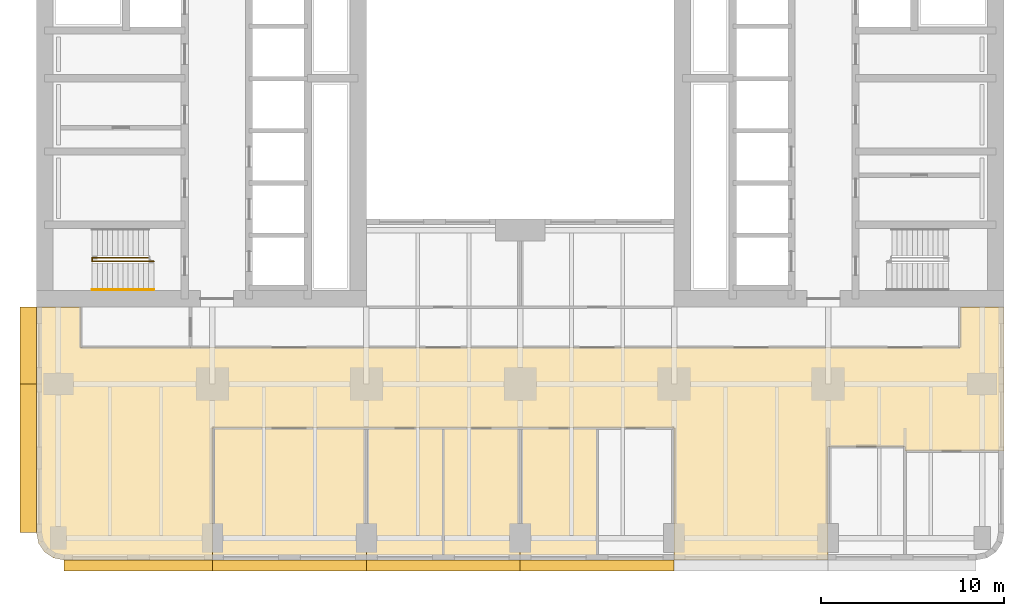
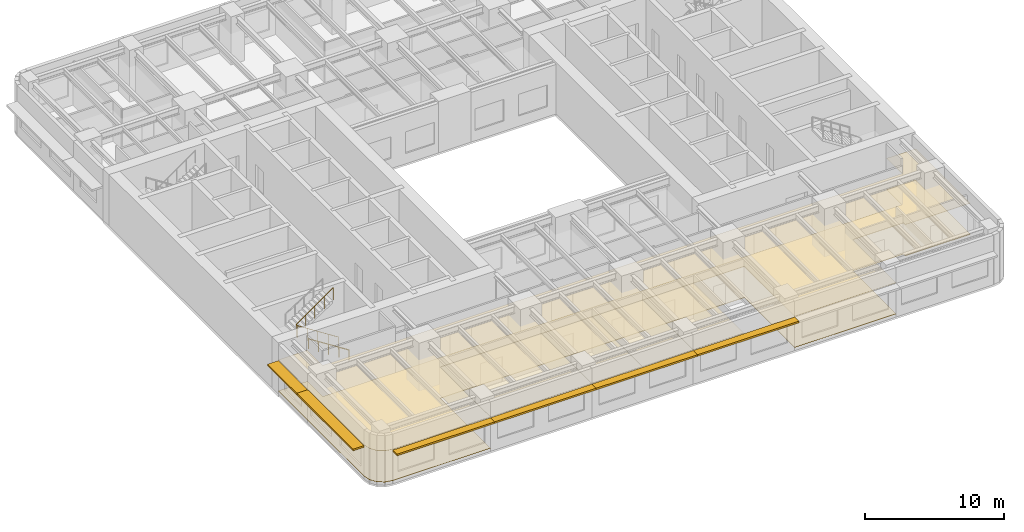
# One storey, part 9 of 14: 6 coverings, 6 shading devices, 2 railings.
"""IFC4 building model written with IfcOpenShell, lengths in metres."""

from ifc_helpers import new_model, si_unit, direction, frame, origin, origin_2d, place, context, subcontext, project, spatial, polyline, rectangle, circle, outline, extrude, material, layer, layer_set, type_object, element, save


model = new_model("IFC4")

# Units and contexts
model_context = context("Model", 3, precision=1e-05, world=origin(), true_north=direction((0.0, 1.0)))
body_context = subcontext(model_context, "Body", "Model", "MODEL_VIEW")
ifc_project = project(units=[si_unit("LENGTHUNIT", "METRE"), si_unit("AREAUNIT", "SQUARE_METRE"), si_unit("VOLUMEUNIT", "CUBIC_METRE"), si_unit("PLANEANGLEUNIT", "RADIAN"), si_unit("MASSUNIT", "GRAM", prefix="KILO")], contexts=[model_context])

# Site, building, storey
site_placement = place(None, origin())
site = spatial("IfcSite", under=ifc_project, at=site_placement, CompositionType="ELEMENT")
building_placement = place(site_placement, origin())
building = spatial("IfcBuilding", under=site, at=building_placement, Name="Claustro Exchange Tower", CompositionType="ELEMENT")
storey_placement = place(building_placement, frame((0.0, 0.0, 59.39990234375)))
storey = spatial("IfcBuildingStorey", under=building, at=storey_placement, Name="L13", CompositionType="ELEMENT", Elevation=59.39990234375)

# Coverings
ifc_material_1 = material(Name="Gypsum board ceiling", Category="gypsum board")
ifc_layer_1 = layer(ifc_material_1, 0.02490234375)
ifc_layer_set_1 = layer_set([ifc_layer_1], Name="Gypsum board ceiling")
covering_type_1 = type_object("IfcCoveringType", Name="CL2 plasterboard ceiling", PredefinedType="CEILING", material=ifc_layer_set_1)
covering_1_placement = place(storey_placement, frame((0.0, 0.0, 3.0)))
element("IfcCovering", 1, at=covering_1_placement, inside=storey, type_object=covering_type_1, Name="Ceiling CL2 L13-03", PredefinedType="CEILING", context=body_context, shape_type="SweptSolid", body=[
    extrude(outline(polyline([(8.39990234375, -1.199951171875), (16.800048828125, -1.199951171875), (16.800048828125, 6.0), (8.39990234375, 6.0), (8.39990234375, -1.199951171875)])), origin(), (0.0, 0.0, 1.0), 0.025146484375),
])
covering_2_placement = place(storey_placement, frame((0.0, 0.0, 3.0)))
element("IfcCovering", 2, at=covering_2_placement, inside=storey, type_object=covering_type_1, Name="Ceiling CL2 L13-04", PredefinedType="CEILING", context=body_context, shape_type="SweptSolid", body=[
    extrude(outline(polyline([(16.800048828125, -1.199951171875), (21.0, -1.199951171875), (21.0, 6.0), (16.800048828125, 6.0), (16.800048828125, -1.199951171875)])), origin(), (0.0, 0.0, 1.0), 0.025146484375),
])
covering_3_placement = place(storey_placement, frame((0.0, 0.0, 3.0)))
element("IfcCovering", 3, at=covering_3_placement, inside=storey, type_object=covering_type_1, Name="Ceiling CL2 L13-05", PredefinedType="CEILING", context=body_context, shape_type="SweptSolid", body=[
    extrude(outline(polyline([(21.0, -1.199951171875), (25.199951171875, -1.199951171875), (25.199951171875, 6.0), (21.0, 6.0), (21.0, -1.199951171875)])), origin(), (0.0, 0.0, 1.0), 0.025146484375),
])
covering_4_placement = place(storey_placement, frame((0.0, 0.0, 3.0)))
element("IfcCovering", 4, at=covering_4_placement, inside=storey, type_object=covering_type_1, Name="Ceiling CL2 L13-06", PredefinedType="CEILING", context=body_context, shape_type="SweptSolid", body=[
    extrude(outline(polyline([(25.199951171875, -1.199951171875), (29.39990234375, -1.199951171875), (29.39990234375, 6.0), (25.199951171875, 6.0), (25.199951171875, -1.199951171875)])), origin(), (0.0, 0.0, 1.0), 0.025146484375),
])
covering_5_placement = place(storey_placement, frame((0.0, 0.0, 3.0)))
element("IfcCovering", 5, at=covering_5_placement, inside=storey, type_object=covering_type_1, Name="Ceiling CL2 L13-08", PredefinedType="CEILING", context=body_context, shape_type="SweptSolid", body=[
    extrude(outline(polyline([(-1.085693359375, -0.27392578125), (-0.7607421875, -0.7607421875), (-0.27392578125, -1.085693359375), (0.300048828125, -1.199951171875), (8.39990234375, -1.199951171875), (8.39990234375, 6.0), (16.800048828125, 6.0), (21.0, 6.0), (25.199951171875, 6.0), (29.39990234375, 6.0), (33.60009765625, 6.0), (33.60009765625, -1.199951171875), (42.0, -1.199951171875), (42.0, 5.0), (46.199951171875, 5.0), (46.199951171875, 4.75), (51.60009765625, 4.75), (51.60009765625, 12.60009765625), (49.199951171875, 12.60009765625), (49.199951171875, 10.39990234375), (7.199951171875, 10.39990234375), (1.199951171875, 10.39990234375), (1.199951171875, 12.60009765625), (-1.199951171875, 12.60009765625), (-1.199951171875, 0.300048828125), (-1.085693359375, -0.27392578125)])), origin(), (0.0, 0.0, 1.0), 0.025146484375),
])

# Railings
ifc_material_2 = material(Name="Steel balustrade, painted", Category="steel")
railing_type_1 = type_object("IfcRailingType", Name="GR2 1100 steel stair guard", PredefinedType="GUARDRAIL", material=ifc_material_2)
railing_1_placement = place(storey_placement, frame((5.199951171875, 15.10009765625, 0.18017578125)))
element("IfcRailing", 6, at=railing_1_placement, inside=storey, type_object=railing_type_1, Name="Stair well guard GR2 stair STWA L13", PredefinedType="GUARDRAIL", context=body_context, shape_type="SweptSolid", body=[
    extrude(circle(Radius=0.02392578125, at=origin_2d()), frame((0.0, 0.0, 1.076171875), z_axis=(-0.841178475377, 0.0, 0.540757591313), x_axis=(0.0, -1.0, 0.0)), (0.0, 0.0, 1.0), 3.994140625),
    extrude(circle(Radius=0.02392578125, at=origin_2d()), frame((-3.35986328125, 0.0, 3.23583984375), z_axis=(0.0, 1.0, 0.0), x_axis=(-1.0, 0.0, 0.0)), (0.0, 0.0, 1.0), 0.199951171875),
    extrude(circle(Radius=0.02392578125, at=origin_2d()), frame((-3.35986328125, 0.199951171875, 3.23583984375), z_axis=(0.818728512145, 0.0, 0.574180828137), x_axis=(0.0, 1.0, 0.0)), (0.0, 0.0, 1.0), 3.76171875),
    extrude(circle(Radius=0.02099609375, at=origin_2d()), origin(), (0.0, 0.0, 1.0), 1.052001953125),
    extrude(circle(Radius=0.02099609375, at=origin_2d()), frame((-0.83984375, 0.0, 0.5400390625)), (0.0, 0.0, 1.0), 1.052001953125),
    extrude(circle(Radius=0.02099609375, at=origin_2d()), frame((-1.679931640625, 0.0, 1.080078125)), (0.0, 0.0, 1.0), 1.052001953125),
    extrude(circle(Radius=0.02099609375, at=origin_2d()), frame((-2.52001953125, 0.0, 1.619873046875)), (0.0, 0.0, 1.0), 1.052001953125),
    extrude(circle(Radius=0.02099609375, at=origin_2d()), frame((-3.35986328125, 0.0, 2.159912109375)), (0.0, 0.0, 1.0), 1.052001953125),
    extrude(circle(Radius=0.02099609375, at=origin_2d()), frame((-3.35986328125, 0.199951171875, 2.159912109375)), (0.0, 0.0, 1.0), 1.052001953125),
    extrude(circle(Radius=0.02099609375, at=origin_2d()), frame((-2.58984375, 0.199951171875, 2.699951171875)), (0.0, 0.0, 1.0), 1.052001953125),
    extrude(circle(Radius=0.02099609375, at=origin_2d()), frame((-1.81982421875, 0.199951171875, 3.23974609375)), (0.0, 0.0, 1.0), 1.052001953125),
    extrude(circle(Radius=0.02099609375, at=origin_2d()), frame((-1.050048828125, 0.199951171875, 3.77978515625)), (0.0, 0.0, 1.0), 1.052001953125),
    extrude(circle(Radius=0.02099609375, at=origin_2d()), frame((-0.280029296875, 0.199951171875, 4.31982421875)), (0.0, 0.0, 1.0), 1.052001953125),
])
ifc_material_3 = material(Name="Stainless steel tube", Category="steel")
railing_type_2 = type_object("IfcRailingType", Name="HR1 900 stair handrail", PredefinedType="HANDRAIL", material=ifc_material_3)
railing_2_placement = place(storey_placement, frame((5.199951171875, 13.56005859375, 0.18017578125)))
element("IfcRailing", 7, at=railing_2_placement, inside=storey, type_object=railing_type_2, Name="Handrail HR1 stair STWA L13", PredefinedType="HANDRAIL", context=body_context, shape_type="SweptSolid", body=[
    extrude(circle(Radius=0.02392578125, at=origin_2d()), frame((0.0, 0.0, 0.8759765625), z_axis=(-0.841178475377, 0.0, 0.540757591313), x_axis=(0.0, -1.0, 0.0)), (0.0, 0.0, 1.0), 3.994140625),
    extrude(circle(Radius=0.02099609375, at=origin_2d()), origin(), (0.0, 0.0, 1.0), 0.851806640625),
    extrude(circle(Radius=0.02099609375, at=origin_2d()), frame((-0.83984375, 0.0, 0.5400390625)), (0.0, 0.0, 1.0), 0.851806640625),
    extrude(circle(Radius=0.02099609375, at=origin_2d()), frame((-1.679931640625, 0.0, 1.080078125)), (0.0, 0.0, 1.0), 0.851806640625),
    extrude(circle(Radius=0.02099609375, at=origin_2d()), frame((-2.52001953125, 0.0, 1.619873046875)), (0.0, 0.0, 1.0), 0.851806640625),
    extrude(circle(Radius=0.02099609375, at=origin_2d()), frame((-3.35986328125, 0.0, 2.159912109375)), (0.0, 0.0, 1.0), 0.851806640625),
])

# Covering
ifc_material_4 = material(Name="Steel-encased raised floor panels on pedestals", Category="steel")
ifc_layer_2 = layer(ifc_material_4, 0.0400390625)
ifc_layer_set_2 = layer_set([ifc_layer_2], Name="Steel-encased raised floor panels on pedestals")
covering_type_2 = type_object("IfcCoveringType", Name="RF1 300 raised access floor", PredefinedType="FLOORING", material=ifc_layer_set_2)
covering_6_placement = place(storey_placement, frame((0.0, 0.0, 0.260009765625)))
element("IfcCovering", 8, at=covering_6_placement, inside=storey, type_object=covering_type_2, Name="Raised access floor RF1 L13-08", PredefinedType="FLOORING", context=body_context, shape_type="SweptSolid", body=[
    extrude(outline(polyline([(-1.085693359375, -0.27392578125), (-0.7607421875, -0.7607421875), (-0.27392578125, -1.085693359375), (0.300048828125, -1.199951171875), (8.39990234375, -1.199951171875), (8.39990234375, 6.0), (16.800048828125, 6.0), (21.0, 6.0), (25.199951171875, 6.0), (29.39990234375, 6.0), (33.60009765625, 6.0), (33.60009765625, -1.199951171875), (42.0, -1.199951171875), (42.0, 5.0), (46.199951171875, 5.0), (46.199951171875, 4.75), (51.60009765625, 4.75), (51.60009765625, 12.60009765625), (49.199951171875, 12.60009765625), (49.199951171875, 10.39990234375), (7.199951171875, 10.39990234375), (1.199951171875, 10.39990234375), (1.199951171875, 12.60009765625), (-1.199951171875, 12.60009765625), (-1.199951171875, 0.300048828125), (-1.085693359375, -0.27392578125)])), origin(), (0.0, 0.0, 1.0), 0.0400390625),
])

# Shading devices
ifc_material_5 = material(Name="Concrete HA-40 (C40/50), precast, white cement, acid-etched", Category="concrete")
ifc_layer_3 = layer(ifc_material_5, 0.14990234375)
ifc_layer_set_3 = layer_set([ifc_layer_3], Name="Concrete HA-40 (C40/50), precast, white cement, acid-etched")
shading_device_type_1 = type_object("IfcShadingDeviceType", Name="SS1 600 precast concrete SUNSHADE", PredefinedType="SHUTTER", material=ifc_layer_set_3)
for number, where, z_axis, x_axis, name in (
    (9, (29.39990234375, -1.5, 2.800048828125), (0.0, 0.0, 1.0), (-1.0, 0.0, 0.0), "Precast SUNSHADE SS1 L13"),
    (10, (21.0, -1.5, 2.800048828125), (0.0, 0.0, 1.0), (-1.0, 0.0, 0.0), "Precast SUNSHADE SS1 L13"),
    (11, (12.60009765625, -1.5, 2.800048828125), (0.0, 0.0, 1.0), (-1.0, 0.0, 0.0), "Precast SUNSHADE SS1 L13"),
):
    element("IfcShadingDevice", number, at=place(storey_placement, frame(where, z_axis=z_axis, x_axis=x_axis)), inside=storey, type_object=shading_device_type_1, Name=name, PredefinedType="SHUTTER", context=body_context, shape_type="SweptSolid", body=[
        extrude(rectangle(XDim=8.39990234375, YDim=0.60009765625, at=origin_2d()), origin(), (0.0, 0.0, 1.0), 0.14990234375),
    ])
shading_device_1_placement = place(storey_placement, frame((4.357421875, -1.5, 2.800048828125), z_axis=(0.0, 0.0, 1.0), x_axis=(-1.0, 0.0, 0.0)))
element("IfcShadingDevice", 12, at=shading_device_1_placement, inside=storey, type_object=shading_device_type_1, Name="Precast SUNSHADE SS1 L13", PredefinedType="SHUTTER", context=body_context, shape_type="SweptSolid", body=[
    extrude(rectangle(XDim=8.085205078125, YDim=0.60009765625, at=origin_2d()), origin(), (0.0, 0.0, 1.0), 0.14990234375),
])
ifc_material_6 = material(Name="Concrete HA-40 (C40/50), precast, white cement, acid-etched", Category="concrete")
ifc_layer_4 = layer(ifc_material_6, 0.14990234375)
ifc_layer_set_4 = layer_set([ifc_layer_4], Name="Concrete HA-40 (C40/50), precast, white cement, acid-etched")
shading_device_type_2 = type_object("IfcShadingDeviceType", Name="SS2 900 precast concrete SUNSHADE", PredefinedType="SHUTTER", material=ifc_layer_set_4)
shading_device_2_placement = place(storey_placement, frame((-1.64990234375, 4.357421875, 2.800048828125), z_axis=(0.0, 0.0, 1.0), x_axis=(0.0, 1.0, 0.0)))
element("IfcShadingDevice", 13, at=shading_device_2_placement, inside=storey, type_object=shading_device_type_2, Name="Precast SUNSHADE SS2 L13", PredefinedType="SHUTTER", context=body_context, shape_type="SweptSolid", body=[
    extrude(rectangle(XDim=8.085205078125, YDim=0.89990234375, at=origin_2d()), origin(), (0.0, 0.0, 1.0), 0.14990234375),
])
shading_device_3_placement = place(storey_placement, frame((-1.64990234375, 10.5, 2.800048828125), z_axis=(0.0, 0.0, 1.0), x_axis=(0.0, 1.0, 0.0)))
element("IfcShadingDevice", 14, at=shading_device_3_placement, inside=storey, type_object=shading_device_type_2, Name="Precast SUNSHADE SS2 L13", PredefinedType="SHUTTER", context=body_context, shape_type="SweptSolid", body=[
    extrude(rectangle(XDim=4.199951171875, YDim=0.89990234375, at=origin_2d()), origin(), (0.0, 0.0, 1.0), 0.14990234375),
])

save(model, "model.ifc")
